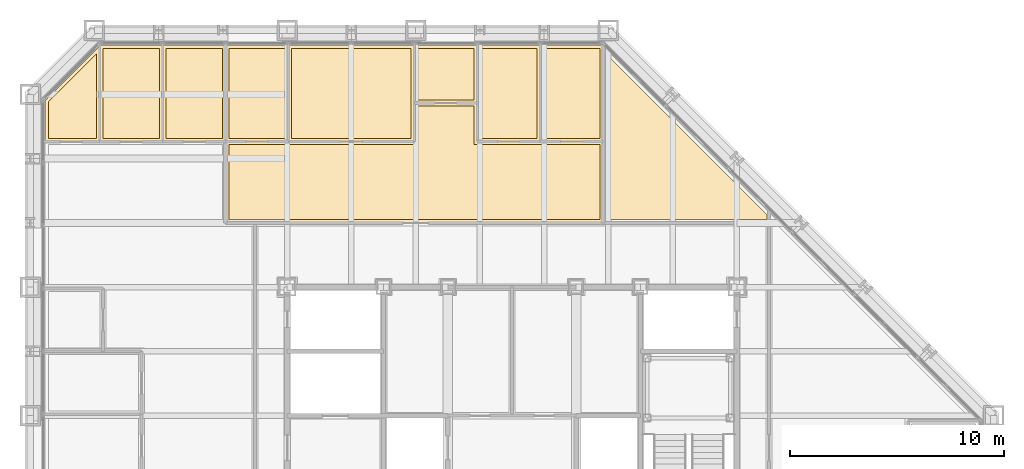
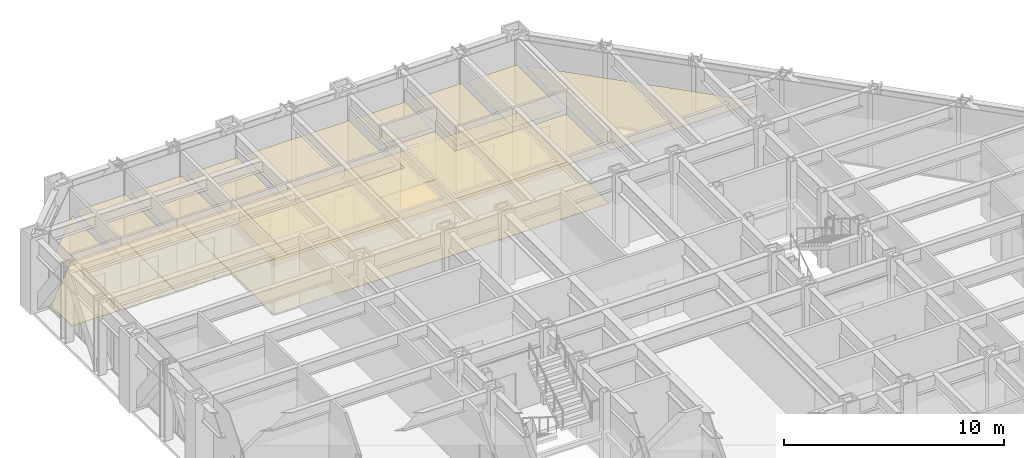
# One storey, part 16 of 16: 19 coverings.
"""IFC4 building model written with IfcOpenShell, lengths in metres."""

from ifc_helpers import new_model, si_unit, direction, frame, origin, place, context, subcontext, project, spatial, polyline, outline, extrude, material, layer, layer_set, type_object, element, save


model = new_model("IFC4")

# Units and contexts
model_context = context("Model", 3, precision=1e-05, world=origin(), true_north=direction((0.0, 1.0)))
body_context = subcontext(model_context, "Body", "Model", "MODEL_VIEW")
ifc_project = project(units=[si_unit("LENGTHUNIT", "METRE"), si_unit("AREAUNIT", "SQUARE_METRE"), si_unit("VOLUMEUNIT", "CUBIC_METRE"), si_unit("PLANEANGLEUNIT", "RADIAN"), si_unit("MASSUNIT", "GRAM", prefix="KILO")], contexts=[model_context])

# Site, building, storey
site_placement = place(None, origin())
site = spatial("IfcSite", under=ifc_project, at=site_placement, CompositionType="ELEMENT")
building_placement = place(site_placement, origin())
building = spatial("IfcBuilding", under=site, at=building_placement, Name="Chuquiago Exchange Tower", CompositionType="ELEMENT")
storey_placement = place(building_placement, frame((0.0, 0.0, 111.0)))
storey = spatial("IfcBuildingStorey", under=building, at=storey_placement, Name="L23", CompositionType="ELEMENT", Elevation=111.0)

# Coverings
ifc_material_1 = material(Name="Mineral fibre tile, 600 x 600, on pale metal grid", Category="mineral fibre")
ifc_layer_1 = layer(ifc_material_1, 0.02001953125)
ifc_layer_set_1 = layer_set([ifc_layer_1], Name="CL1 suspended tile ceiling 20")
covering_type_1 = type_object("IfcCoveringType", Name="CL1 suspended tile ceiling 20", PredefinedType="CEILING", material=ifc_layer_set_1)
covering_1_placement = place(storey_placement, frame((0.0, 0.0, 2.800048828125)))
element("IfcCovering", 1, at=covering_1_placement, inside=storey, type_object=covering_type_1, Name="Ceiling Meeting room", PredefinedType="CEILING", context=body_context, shape_type="SweptSolid", body=[
    extrude(outline(polyline([(3.098388671875, 43.896484375), (3.098388671875, 39.949951171875), (0.85009765625, 39.949951171875), (0.85009765625, 41.64794921875), (3.098388671875, 43.896484375)])), origin(), (0.0, 0.0, 1.0), 0.02001953125),
])
covering_2_placement = place(storey_placement, frame((0.0, 0.0, 2.800048828125)))
element("IfcCovering", 2, at=covering_2_placement, inside=storey, type_object=covering_type_1, Name="Ceiling Office", PredefinedType="CEILING", context=body_context, shape_type="SweptSolid", body=[
    extrude(outline(polyline([(6.036376953125, 44.14990234375), (6.036376953125, 39.949951171875), (3.3984375, 39.949951171875), (3.3984375, 44.14990234375), (6.036376953125, 44.14990234375)])), origin(), (0.0, 0.0, 1.0), 0.02001953125),
])
covering_3_placement = place(storey_placement, frame((0.0, 0.0, 2.800048828125)))
element("IfcCovering", 3, at=covering_3_placement, inside=storey, type_object=covering_type_1, Name="Ceiling Office", PredefinedType="CEILING", context=body_context, shape_type="SweptSolid", body=[
    extrude(outline(polyline([(8.974365234375, 39.949951171875), (6.33642578125, 39.949951171875), (6.33642578125, 44.14990234375), (8.974365234375, 44.14990234375), (8.974365234375, 39.949951171875)])), origin(), (0.0, 0.0, 1.0), 0.02001953125),
])
covering_4_placement = place(storey_placement, frame((0.0, 0.0, 2.800048828125)))
element("IfcCovering", 4, at=covering_4_placement, inside=storey, type_object=covering_type_1, Name="Ceiling Office", PredefinedType="CEILING", context=body_context, shape_type="SweptSolid", body=[
    extrude(outline(polyline([(11.912109375, 39.949951171875), (9.2744140625, 39.949951171875), (9.2744140625, 44.14990234375), (11.912109375, 44.14990234375), (11.912109375, 39.949951171875)])), origin(), (0.0, 0.0, 1.0), 0.02001953125),
])
covering_5_placement = place(storey_placement, frame((0.0, 0.0, 2.800048828125)))
element("IfcCovering", 5, at=covering_5_placement, inside=storey, type_object=covering_type_1, Name="Ceiling Meeting room", PredefinedType="CEILING", context=body_context, shape_type="SweptSolid", body=[
    extrude(outline(polyline([(17.787841796875, 39.949951171875), (12.212158203125, 39.949951171875), (12.212158203125, 44.14990234375), (17.787841796875, 44.14990234375), (17.787841796875, 39.949951171875)])), origin(), (0.0, 0.0, 1.0), 0.02001953125),
])
covering_6_placement = place(storey_placement, frame((0.0, 0.0, 2.800048828125)))
element("IfcCovering", 6, at=covering_6_placement, inside=storey, type_object=covering_type_1, Name="Ceiling Focus room", PredefinedType="CEILING", context=body_context, shape_type="SweptSolid", body=[
    extrude(outline(polyline([(20.7255859375, 41.75), (18.087890625, 41.75), (18.087890625, 44.14990234375), (20.7255859375, 44.14990234375), (20.7255859375, 41.75)])), origin(), (0.0, 0.0, 1.0), 0.02001953125),
])
covering_7_placement = place(storey_placement, frame((0.0, 0.0, 2.800048828125)))
element("IfcCovering", 7, at=covering_7_placement, inside=storey, type_object=covering_type_1, Name="Ceiling Office", PredefinedType="CEILING", context=body_context, shape_type="SweptSolid", body=[
    extrude(outline(polyline([(23.66357421875, 39.949951171875), (21.025634765625, 39.949951171875), (21.025634765625, 44.14990234375), (23.66357421875, 44.14990234375), (23.66357421875, 39.949951171875)])), origin(), (0.0, 0.0, 1.0), 0.02001953125),
])
covering_8_placement = place(storey_placement, frame((0.0, 0.0, 2.800048828125)))
element("IfcCovering", 8, at=covering_8_placement, inside=storey, type_object=covering_type_1, Name="Ceiling Office", PredefinedType="CEILING", context=body_context, shape_type="SweptSolid", body=[
    extrude(outline(polyline([(26.6015625, 39.949951171875), (23.963623046875, 39.949951171875), (23.963623046875, 44.14990234375), (26.6015625, 44.14990234375), (26.6015625, 39.949951171875)])), origin(), (0.0, 0.0, 1.0), 0.02001953125),
])
covering_9_placement = place(storey_placement, frame((0.0, 0.0, 2.800048828125)))
element("IfcCovering", 9, at=covering_9_placement, inside=storey, type_object=covering_type_1, Name="Ceiling Open office north suite", PredefinedType="CEILING", context=body_context, shape_type="SweptSolid", body=[
    extrude(outline(polyline([(18.087890625, 39.64990234375), (18.087890625, 41.449951171875), (20.7255859375, 41.449951171875), (20.7255859375, 39.64990234375), (26.60107421875, 39.64990234375), (26.60107421875, 36.150390625), (9.27490234375, 36.150390625), (9.27490234375, 39.64990234375), (18.087890625, 39.64990234375)])), origin(), (0.0, 0.0, 1.0), 0.02001953125),
])
covering_10_placement = place(storey_placement, frame((0.0, 0.0, 2.800048828125)))
element("IfcCovering", 10, at=covering_10_placement, inside=storey, type_object=covering_type_1, Name="Ceiling Open office east suite", PredefinedType="CEILING", context=body_context, shape_type="SweptSolid", body=[
    extrude(outline(polyline([(26.902099609375, 36.150390625), (26.902099609375, 43.89599609375), (34.4150390625, 36.383056640625), (34.4150390625, 36.150146484375), (26.902099609375, 36.150390625)])), origin(), (0.0, 0.0, 1.0), 0.02001953125),
])
ifc_material_2 = material(Name="Carpet tile, 500 x 500, on the floor slab", Category="textile")
ifc_layer_2 = layer(ifc_material_2, 0.010009765625)
ifc_layer_set_2 = layer_set([ifc_layer_2], Name="FL1 carpet tile 10")
covering_type_2 = type_object("IfcCoveringType", Name="FL1 carpet tile 10", PredefinedType="FLOORING", material=ifc_layer_set_2)
covering_11_placement = place(storey_placement, origin())
element("IfcCovering", 11, at=covering_11_placement, inside=storey, type_object=covering_type_2, Name="Floor finish Meeting room", PredefinedType="FLOORING", context=body_context, shape_type="SweptSolid", body=[
    extrude(outline(polyline([(0.699951171875, 41.710205078125), (3.24853515625, 44.258544921875), (3.24853515625, 39.800048828125), (0.699951171875, 39.800048828125), (0.699951171875, 41.710205078125)])), origin(), (0.0, 0.0, 1.0), 0.010009765625),
])
covering_12_placement = place(storey_placement, origin())
element("IfcCovering", 12, at=covering_12_placement, inside=storey, type_object=covering_type_2, Name="Floor finish Office", PredefinedType="FLOORING", context=body_context, shape_type="SweptSolid", body=[
    extrude(outline(polyline([(3.289794921875, 44.300048828125), (6.186279296875, 44.300048828125), (6.186279296875, 39.800048828125), (3.24853515625, 39.800048828125), (3.24853515625, 44.258544921875), (3.289794921875, 44.300048828125)])), origin(), (0.0, 0.0, 1.0), 0.010009765625),
])
covering_13_placement = place(storey_placement, origin())
element("IfcCovering", 13, at=covering_13_placement, inside=storey, type_object=covering_type_2, Name="Floor finish Office", PredefinedType="FLOORING", context=body_context, shape_type="SweptSolid", body=[
    extrude(outline(polyline([(9.124267578125, 44.300048828125), (9.124267578125, 39.800048828125), (6.186279296875, 39.800048828125), (6.186279296875, 44.300048828125), (9.124267578125, 44.300048828125)])), origin(), (0.0, 0.0, 1.0), 0.010009765625),
])
covering_14_placement = place(storey_placement, origin())
element("IfcCovering", 14, at=covering_14_placement, inside=storey, type_object=covering_type_2, Name="Floor finish Office", PredefinedType="FLOORING", context=body_context, shape_type="SweptSolid", body=[
    extrude(outline(polyline([(12.06201171875, 44.300048828125), (12.06201171875, 39.800048828125), (9.124267578125, 39.800048828125), (9.124267578125, 44.300048828125), (12.06201171875, 44.300048828125)])), origin(), (0.0, 0.0, 1.0), 0.010009765625),
])
covering_15_placement = place(storey_placement, origin())
element("IfcCovering", 15, at=covering_15_placement, inside=storey, type_object=covering_type_2, Name="Floor finish Meeting room", PredefinedType="FLOORING", context=body_context, shape_type="SweptSolid", body=[
    extrude(outline(polyline([(17.93798828125, 44.300048828125), (17.93798828125, 39.800048828125), (12.06201171875, 39.800048828125), (12.06201171875, 44.300048828125), (17.93798828125, 44.300048828125)])), origin(), (0.0, 0.0, 1.0), 0.010009765625),
])
covering_16_placement = place(storey_placement, origin())
element("IfcCovering", 16, at=covering_16_placement, inside=storey, type_object=covering_type_2, Name="Floor finish Focus room", PredefinedType="FLOORING", context=body_context, shape_type="SweptSolid", body=[
    extrude(outline(polyline([(20.875732421875, 44.300048828125), (20.875732421875, 41.60009765625), (17.93798828125, 41.60009765625), (17.93798828125, 44.300048828125), (20.875732421875, 44.300048828125)])), origin(), (0.0, 0.0, 1.0), 0.010009765625),
])
covering_17_placement = place(storey_placement, origin())
element("IfcCovering", 17, at=covering_17_placement, inside=storey, type_object=covering_type_2, Name="Floor finish Office", PredefinedType="FLOORING", context=body_context, shape_type="SweptSolid", body=[
    extrude(outline(polyline([(23.813720703125, 44.300048828125), (23.813720703125, 39.800048828125), (20.875732421875, 39.800048828125), (20.875732421875, 44.300048828125), (23.813720703125, 44.300048828125)])), origin(), (0.0, 0.0, 1.0), 0.010009765625),
])
covering_18_placement = place(storey_placement, origin())
element("IfcCovering", 18, at=covering_18_placement, inside=storey, type_object=covering_type_2, Name="Floor finish Office", PredefinedType="FLOORING", context=body_context, shape_type="SweptSolid", body=[
    extrude(outline(polyline([(26.710205078125, 44.300048828125), (26.75146484375, 44.258544921875), (26.75146484375, 39.800048828125), (23.813720703125, 39.800048828125), (23.813720703125, 44.300048828125), (26.710205078125, 44.300048828125)])), origin(), (0.0, 0.0, 1.0), 0.010009765625),
])
covering_19_placement = place(storey_placement, origin())
element("IfcCovering", 19, at=covering_19_placement, inside=storey, type_object=covering_type_2, Name="Floor finish Open office north suite", PredefinedType="FLOORING", context=body_context, shape_type="SweptSolid", body=[
    extrude(outline(polyline([(9.124755859375, 39.800048828125), (17.93798828125, 39.800048828125), (17.93798828125, 41.60009765625), (20.875732421875, 41.60009765625), (20.875732421875, 39.800048828125), (26.7509765625, 39.800048828125), (26.7509765625, 36.00048828125), (9.124755859375, 36.00048828125), (9.124755859375, 39.800048828125)])), origin(), (0.0, 0.0, 1.0), 0.010009765625),
])

save(model, "model.ifc")
